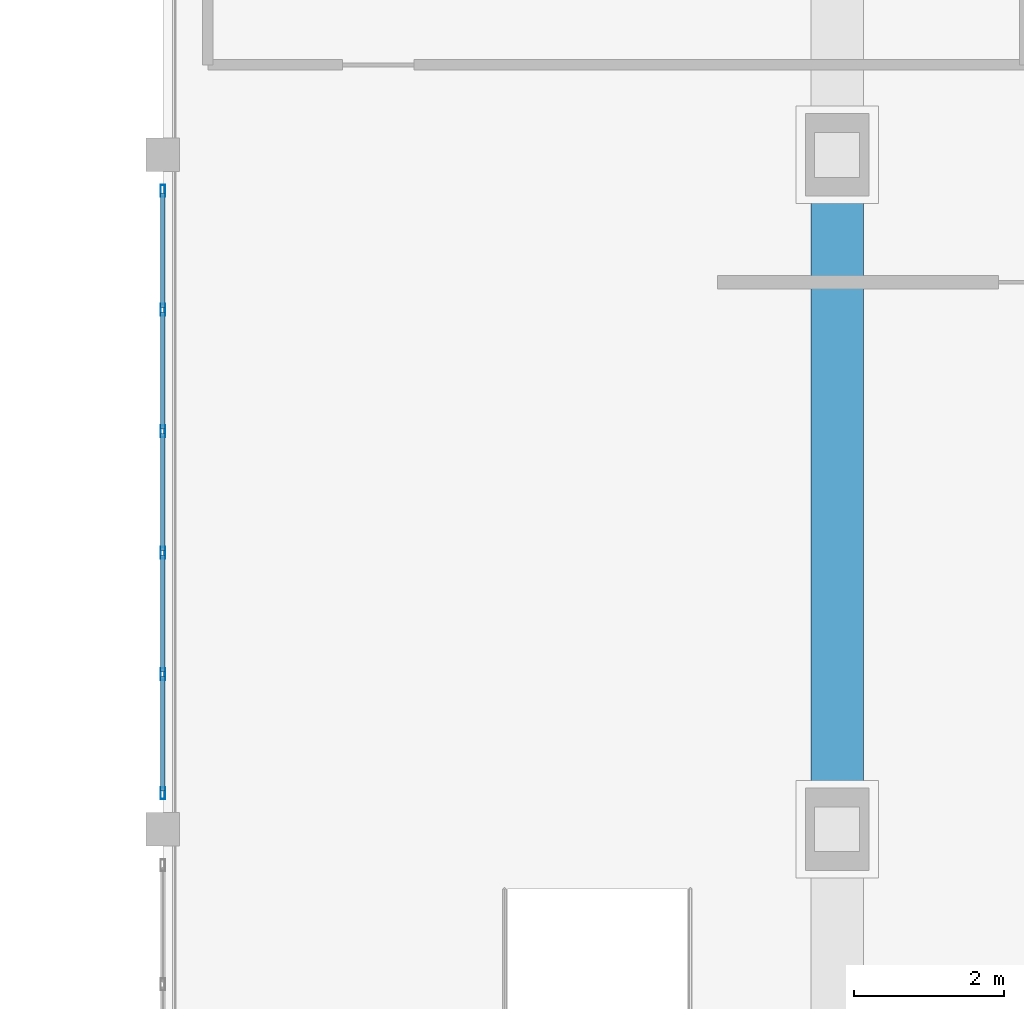
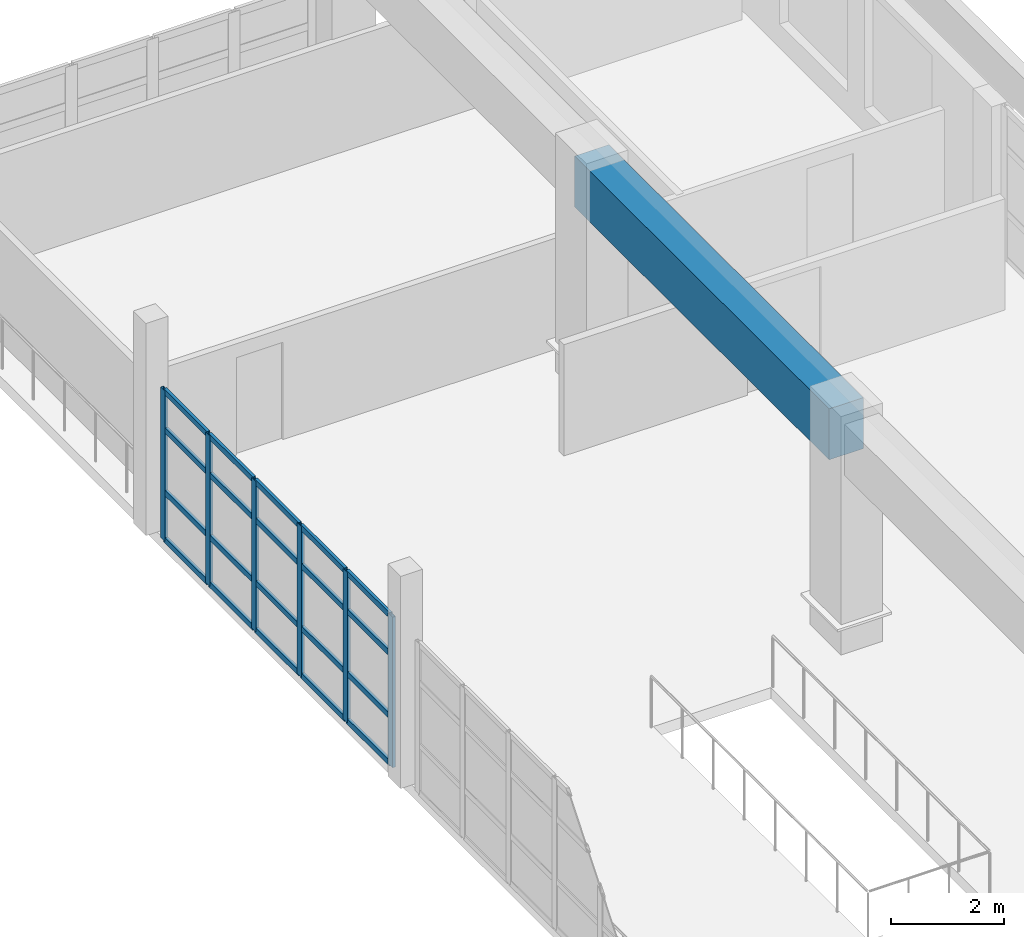
# One storey, part 30 of 80: 26 members, 1 beam, 1 element without a shape of its own.
"""IFC4 building model written with IfcOpenShell, lengths in metres."""

import ifcopenshell
import ifcopenshell.guid

model = None  # the IFC model being written
_history = None  # IfcOwnerHistory: only IFC2X3 demands one
_inside = {}  # id of a spatial element -> (the spatial element, [elements in it])
_under = {}  # id of a project, library or spatial element -> (it, [spatial elements below it])
_declared = {}  # id of a project -> (the project, [libraries it declares])
_typed = {}  # id of a type object -> (the type object, [elements of that type])
_made_of = {}  # id of a material, layer set ... -> (it, [elements and type objects made of it])


def new_model(schema):
    """Start an empty IFC model of exactly this schema.

    Asked for "IFC4X3", IfcOpenShell would pick the latest addendum, in which some entities
    have other attributes; the version numbers below select the first issue.
    IFC2X3 requires an IfcOwnerHistory on every rooted entity: one is made here for all.
    """
    global model, _history
    if schema == "IFC4X3":
        model = ifcopenshell.file(schema_version=(4, 3, 0, 0))
    else:
        model = ifcopenshell.file(schema=schema)
    _inside.clear()
    _under.clear()
    _declared.clear()
    _typed.clear()
    _made_of.clear()
    _history = None
    if model.schema == "IFC2X3":
        org = make("IfcOrganization", Name="unknown")
        user = make(
            "IfcPersonAndOrganization",
            ThePerson=make("IfcPerson", FamilyName="unknown"),
            TheOrganization=org,
        )
        app = make(
            "IfcApplication",
            ApplicationDeveloper=org,
            Version="unknown",
            ApplicationFullName="unknown",
            ApplicationIdentifier="unknown",
        )
        _history = make(
            "IfcOwnerHistory",
            OwningUser=user,
            OwningApplication=app,
            ChangeAction="ADDED",
            CreationDate=0,
        )
    return model


def make(cls, **values):
    """One entity of the class cls with the attributes given. An attribute that is None is left unset."""
    return model.create_entity(
        cls, **{name: value for name, value in values.items() if value is not None}
    )


def rooted(cls, **values):
    """An entity with a GlobalId (a new one), such as an element, a storey or a relation."""
    return make(cls, GlobalId=ifcopenshell.guid.new(), OwnerHistory=_history, **values)


def si_unit(unit_type, name, prefix=None):
    """IfcSIUnit, for example si_unit("LENGTHUNIT", "METRE", prefix="MILLI")."""
    return make("IfcSIUnit", UnitType=unit_type, Prefix=prefix, Name=name)


def assignment(units):
    """IfcUnitAssignment: the units of a project."""
    return None if units is None else make("IfcUnitAssignment", Units=units)


def point(xyz):
    """IfcCartesianPoint."""
    return None if xyz is None else make("IfcCartesianPoint", Coordinates=xyz)


def direction(xyz):
    """IfcDirection."""
    return None if xyz is None else make("IfcDirection", DirectionRatios=xyz)


def frame(location, z_axis=None, x_axis=None):
    """IfcAxis2Placement3D, a coordinate frame: its origin and axes. An axis left out is left unset."""
    return make(
        "IfcAxis2Placement3D",
        Location=point(location),
        Axis=direction(z_axis),
        RefDirection=direction(x_axis),
    )


def frame_2d(location, x_axis=None):
    """IfcAxis2Placement2D, a coordinate frame in the plane: its origin and x axis."""
    return make(
        "IfcAxis2Placement2D", Location=point(location), RefDirection=direction(x_axis)
    )


def origin():
    """The frame at (0, 0, 0) with its axes left unset."""
    return frame((0.0, 0.0, 0.0))


def origin_2d():
    """The frame at (0, 0) in the plane with its x axis left unset."""
    return frame_2d((0.0, 0.0))


def place(relative_to, where):
    """IfcLocalPlacement: puts the frame where relative to a parent placement (None: the world)."""
    return make(
        "IfcLocalPlacement", PlacementRelTo=relative_to, RelativePlacement=where
    )


def context(
    kind, dimensions, precision=None, world=None, true_north=None, identifier=None
):
    """IfcGeometricRepresentationContext, for example the 3D "Model" context."""
    return make(
        "IfcGeometricRepresentationContext",
        ContextIdentifier=identifier,
        ContextType=kind,
        CoordinateSpaceDimension=dimensions,
        Precision=precision,
        WorldCoordinateSystem=world,
        TrueNorth=true_north,
    )


def subcontext(parent, identifier, kind, view, scale=None):
    """IfcGeometricRepresentationSubContext, for example "Body" below "Model"."""
    return make(
        "IfcGeometricRepresentationSubContext",
        ContextIdentifier=identifier,
        ContextType=kind,
        ParentContext=parent,
        TargetScale=scale,
        TargetView=view,
    )


def project(units=None, contexts=None):
    """IfcProject with its units and contexts."""
    return rooted(
        "IfcProject",
        Name="project",
        RepresentationContexts=contexts,
        UnitsInContext=assignment(units),
    )


def spatial(cls, under=None, at=None, **own):
    """A site, building, storey or space (cls), placed at a placement, below another one or the project."""
    s = rooted(cls, ObjectPlacement=at, **own)
    if under is not None:
        _under.setdefault(under.id(), (under, []))[1].append(s)
    return s


def profile(cls, at=None, kind="AREA", **sizes):
    """A parametric profile (cls). Its sizes go by their IFC names, for example OverallWidth=200.0."""
    return make(cls, ProfileType=kind, Position=at, **sizes)


def rectangle(**sizes):
    """IfcRectangleProfileDef."""
    return profile("IfcRectangleProfileDef", **sizes)


def hollow_rectangle(**sizes):
    """IfcRectangleHollowProfileDef."""
    return profile("IfcRectangleHollowProfileDef", **sizes)


def extrude(swept, where, along, depth):
    """IfcExtrudedAreaSolid: the profile swept, set in the frame where, extruded along a direction by depth."""
    return make(
        "IfcExtrudedAreaSolid",
        SweptArea=swept,
        Position=where,
        ExtrudedDirection=direction(along),
        Depth=depth,
    )


def shape(context_of_items, identifier, shape_type, items):
    """IfcShapeRepresentation: the items that make up one representation, for example the "Body"."""
    return make(
        "IfcShapeRepresentation",
        ContextOfItems=context_of_items,
        RepresentationIdentifier=identifier,
        RepresentationType=shape_type,
        Items=items,
    )


def material(Name=None, Category=None):
    """IfcMaterial."""
    return make("IfcMaterial", Name=Name, Category=Category)


def layer(
    of_material, thickness, ventilated=None, Name=None, Category=None, Priority=None
):
    """IfcMaterialLayer: one layer of a wall or slab, of a material (None: an air gap)."""
    return make(
        "IfcMaterialLayer",
        Material=of_material,
        LayerThickness=thickness,
        IsVentilated=ventilated,
        Name=Name,
        Category=Category,
        Priority=Priority,
    )


def layer_set(layers, Name=None):
    """IfcMaterialLayerSet."""
    return make("IfcMaterialLayerSet", MaterialLayers=layers, LayerSetName=Name)


def material_profile(
    of_material, cross_section, Name=None, Category=None, Priority=None
):
    """IfcMaterialProfile: a cross section and its material."""
    return make(
        "IfcMaterialProfile",
        Name=Name,
        Material=of_material,
        Profile=cross_section,
        Priority=Priority,
        Category=Category,
    )


def profile_set(profiles, Name=None, composite=None):
    """IfcMaterialProfileSet."""
    return make(
        "IfcMaterialProfileSet",
        Name=Name,
        MaterialProfiles=profiles,
        CompositeProfile=composite,
    )


def made_of(thing, what):
    """Note that an element or type object is made of a material, layer set ...; save() writes the relation."""
    if what is not None:
        _made_of.setdefault(what.id(), (what, []))[1].append(thing)
    return thing


def type_object(cls, material=None, **own):
    """A type object (cls), such as IfcWallType, which elements share."""
    return made_of(rooted(cls, **own), material)


def element(
    cls,
    number,
    at=None,
    inside=None,
    cuts=None,
    type_object=None,
    material=None,
    context=None,
    identifier="Body",
    shape_type=None,
    held_by="IfcProductDefinitionShape",
    body=None,
    shapes=None,
    **own,
):
    """One element of the class cls, such as IfcWall. Its Tag is "e" and its number.

    at: its placement. inside: the storey or other place that contains it. cuts: it is an
    opening in that element (IfcRelVoidsElement). A single representation is given by context,
    identifier, shape_type and body (its items); several are given by shapes. held_by: the class
    of the entity that holds the representations. save() writes the other relations.
    """
    e = rooted(cls, Tag="e%d" % number, ObjectPlacement=at, **own)
    if body is not None:
        shapes = [shape(context, identifier, shape_type, body)]
    if shapes is not None:
        e.Representation = make(held_by, Representations=shapes)
    if inside is not None:
        _inside.setdefault(inside.id(), (inside, []))[1].append(e)
    if cuts is not None:
        rooted(
            "IfcRelVoidsElement", RelatingBuildingElement=cuts, RelatedOpeningElement=e
        )
    if type_object is not None:
        _typed.setdefault(type_object.id(), (type_object, []))[1].append(e)
    return made_of(e, material)


def aggregate(whole, parts):
    """IfcRelAggregates: a whole, such as a stair, and the parts it consists of."""
    return rooted("IfcRelAggregates", RelatingObject=whole, RelatedObjects=parts)


def save(model, path):
    """Write the relations noted so far, then the file.

    IfcRelAggregates (storeys below a building ...), IfcRelContainedInSpatialStructure (elements
    in a storey), IfcRelDefinesByType, IfcRelAssociatesMaterial and IfcRelDeclares: one each for
    every whole, place, type object, material and project.
    """
    for whole, parts in _under.values():
        aggregate(whole, parts)
    for where, things in _inside.values():
        rooted(
            "IfcRelContainedInSpatialStructure",
            RelatedElements=things,
            RelatingStructure=where,
        )
    for kind, things in _typed.values():
        rooted("IfcRelDefinesByType", RelatedObjects=things, RelatingType=kind)
    for what, things in _made_of.values():
        rooted("IfcRelAssociatesMaterial", RelatedObjects=things, RelatingMaterial=what)
    for by, libraries in _declared.values():
        rooted("IfcRelDeclares", RelatingContext=by, RelatedDefinitions=libraries)
    model.write(path)


model = new_model("IFC4")

# Units and contexts
model_context = context("Model", 3, precision=1e-05, world=origin(), true_north=direction((0.0, 1.0)))
body_context = subcontext(model_context, "Body", "Model", "MODEL_VIEW")
ifc_project = project(units=[si_unit("LENGTHUNIT", "METRE"), si_unit("AREAUNIT", "SQUARE_METRE"), si_unit("VOLUMEUNIT", "CUBIC_METRE"), si_unit("PLANEANGLEUNIT", "RADIAN"), si_unit("MASSUNIT", "GRAM", prefix="KILO")], contexts=[model_context])

# Site, building, storey
site_placement = place(None, origin())
site = spatial("IfcSite", under=ifc_project, at=site_placement, CompositionType="ELEMENT")
building_placement = place(site_placement, origin())
building = spatial("IfcBuilding", under=site, at=building_placement, Name="Ornek Quay Market", CompositionType="ELEMENT")
storey_placement = place(building_placement, frame((0.0, 0.0, 8.39990234375)))
storey = spatial("IfcBuildingStorey", under=building, at=storey_placement, Name="L02", CompositionType="ELEMENT", Elevation=8.39990234375)

# Beam
ifc_material_1 = material(Name="Concrete C45/55", Category="concrete")
ifc_material_profile_1 = material_profile(ifc_material_1, rectangle(XDim=0.699951171875, YDim=1.10009765625, at=origin_2d()), Name="RC 700x1100", Category="concrete")
ifc_profile_set_1 = profile_set([ifc_material_profile_1], Name="Concrete C45/55")
beam_type = type_object("IfcBeamType", Name="BM-ARCH-TIE-700x1100", PredefinedType="BEAM", material=ifc_profile_set_1)
beam_placement = place(storey_placement, frame((117.0, 74.0, 4.400146484375), z_axis=(0.0, 1.0, 0.0), x_axis=(-1.0, 0.0, 0.0)))
element("IfcBeam", 1, at=beam_placement, inside=storey, type_object=beam_type, Name="Arch springing edge tie beam J-E", PredefinedType="BEAM", context=body_context, shape_type="SweptSolid", body=[
    extrude(rectangle(XDim=0.699951171875, YDim=1.10009765625, at=origin_2d()), origin(), (0.0, 0.0, 1.0), 9.0),
])

# Curtain wall, members
ifc_material_2 = material(Name="Anodised bronze aluminium and triple low-e glass", Category="aluminium")
ifc_layer = layer(ifc_material_2, 0.139892578125, Name="Anodised bronze aluminium and triple low-e glass", Category="aluminium")
ifc_layer_set = layer_set([ifc_layer], Name="Anodised bronze aluminium and triple low-e glass")
curtain_wall_type = type_object("IfcCurtainWallType", Name="CW-GALLERY-INT", PredefinedType="USERDEFINED", material=ifc_layer_set)
curtain_wall_placement = place(storey_placement, origin())
curtain_wall = element("IfcCurtainWall", 2, at=curtain_wall_placement, inside=storey, type_object=curtain_wall_type, Name="Curtain wall CW-120", ObjectType="CURTAIN WALL", PredefinedType="USERDEFINED")
ifc_material_3 = material(Name="Anodised aluminium 6063-T6", Category="aluminium")
ifc_material_profile_2 = material_profile(ifc_material_3, hollow_rectangle(XDim=0.06005859375, YDim=0.159912109375, WallThickness=0.00390625, at=origin_2d()), Name="CW-MUL-60x160", Category="aluminium")
ifc_profile_set_2 = profile_set([ifc_material_profile_2], Name="Anodised aluminium 6063-T6")
member_type_1 = type_object("IfcMemberType", Name="CW-MUL-60x160", PredefinedType="MULLION", material=ifc_profile_set_2)
member_1_placement = place(storey_placement, frame((108.0, 74.47998046875, 0.0), z_axis=(0.0, 0.0, 1.0), x_axis=(-1.0, 0.0, 0.0)))
member_1 = element("IfcMember", 3, at=member_1_placement, type_object=member_type_1, Name="CW-120 mullion 1", PredefinedType="MULLION", context=body_context, shape_type="SweptSolid", body=[
    extrude(hollow_rectangle(XDim=0.06005859375, YDim=0.159912109375, WallThickness=0.00390625, at=origin_2d()), origin(), (0.0, 0.0, 1.0), 3.25),
])
member_2_placement = place(storey_placement, frame((108.0, 76.070068359375, 0.0), z_axis=(0.0, 0.0, 1.0), x_axis=(-1.0, 0.0, 0.0)))
member_2 = element("IfcMember", 4, at=member_2_placement, type_object=member_type_1, Name="CW-120 mullion 2", PredefinedType="MULLION", context=body_context, shape_type="SweptSolid", body=[
    extrude(hollow_rectangle(XDim=0.06005859375, YDim=0.159912109375, WallThickness=0.00390625, at=origin_2d()), origin(), (0.0, 0.0, 1.0), 3.25),
])
member_3_placement = place(storey_placement, frame((108.0, 77.68994140625, 0.0), z_axis=(0.0, 0.0, 1.0), x_axis=(-1.0, 0.0, 0.0)))
member_3 = element("IfcMember", 5, at=member_3_placement, type_object=member_type_1, Name="CW-120 mullion 3", PredefinedType="MULLION", context=body_context, shape_type="SweptSolid", body=[
    extrude(hollow_rectangle(XDim=0.06005859375, YDim=0.159912109375, WallThickness=0.00390625, at=origin_2d()), origin(), (0.0, 0.0, 1.0), 3.25),
])
member_4_placement = place(storey_placement, frame((108.0, 79.31005859375, 0.0), z_axis=(0.0, 0.0, 1.0), x_axis=(-1.0, 0.0, 0.0)))
member_4 = element("IfcMember", 6, at=member_4_placement, type_object=member_type_1, Name="CW-120 mullion 4", PredefinedType="MULLION", context=body_context, shape_type="SweptSolid", body=[
    extrude(hollow_rectangle(XDim=0.06005859375, YDim=0.159912109375, WallThickness=0.00390625, at=origin_2d()), origin(), (0.0, 0.0, 1.0), 3.25),
])
member_5_placement = place(storey_placement, frame((108.0, 80.929931640625, 0.0), z_axis=(0.0, 0.0, 1.0), x_axis=(-1.0, 0.0, 0.0)))
member_5 = element("IfcMember", 7, at=member_5_placement, type_object=member_type_1, Name="CW-120 mullion 5", PredefinedType="MULLION", context=body_context, shape_type="SweptSolid", body=[
    extrude(hollow_rectangle(XDim=0.06005859375, YDim=0.159912109375, WallThickness=0.00390625, at=origin_2d()), origin(), (0.0, 0.0, 1.0), 3.25),
])
member_6_placement = place(storey_placement, frame((108.0, 82.52001953125, 0.0), z_axis=(0.0, 0.0, 1.0), x_axis=(-1.0, 0.0, 0.0)))
member_6 = element("IfcMember", 8, at=member_6_placement, type_object=member_type_1, Name="CW-120 mullion 6", PredefinedType="MULLION", context=body_context, shape_type="SweptSolid", body=[
    extrude(hollow_rectangle(XDim=0.06005859375, YDim=0.159912109375, WallThickness=0.00390625, at=origin_2d()), origin(), (0.0, 0.0, 1.0), 3.25),
])
ifc_material_profile_3 = material_profile(ifc_material_3, hollow_rectangle(XDim=0.06005859375, YDim=0.1201171875, WallThickness=0.00390625, at=origin_2d()), Name="CW-TRN-60x120", Category="aluminium")
ifc_profile_set_3 = profile_set([ifc_material_profile_3], Name="Anodised aluminium 6063-T6")
member_type_2 = type_object("IfcMemberType", Name="CW-TRN-60x120", PredefinedType="USERDEFINED", material=ifc_profile_set_3)
member_7_placement = place(storey_placement, frame((108.0, 74.510009765625, 0.030029296875), z_axis=(0.0, 1.0, 0.0), x_axis=(-1.0, 0.0, 0.0)))
member_7 = element("IfcMember", 9, at=member_7_placement, type_object=member_type_2, Name="CW-120 transom 1.1", ObjectType="TRANSOM", PredefinedType="USERDEFINED", context=body_context, shape_type="SweptSolid", body=[
    extrude(hollow_rectangle(XDim=0.06005859375, YDim=0.1201171875, WallThickness=0.00390625, at=origin_2d()), origin(), (0.0, 0.0, 1.0), 1.530029296875),
])
member_8_placement = place(storey_placement, frame((108.0, 74.510009765625, 1.050048828125), z_axis=(0.0, 1.0, 0.0), x_axis=(-1.0, 0.0, 0.0)))
member_8 = element("IfcMember", 10, at=member_8_placement, type_object=member_type_2, Name="CW-120 transom 1.2", ObjectType="TRANSOM", PredefinedType="USERDEFINED", context=body_context, shape_type="SweptSolid", body=[
    extrude(hollow_rectangle(XDim=0.06005859375, YDim=0.1201171875, WallThickness=0.00390625, at=origin_2d()), origin(), (0.0, 0.0, 1.0), 1.530029296875),
])
member_9_placement = place(storey_placement, frame((108.0, 74.510009765625, 2.400146484375), z_axis=(0.0, 1.0, 0.0), x_axis=(-1.0, 0.0, 0.0)))
member_9 = element("IfcMember", 11, at=member_9_placement, type_object=member_type_2, Name="CW-120 transom 1.3", ObjectType="TRANSOM", PredefinedType="USERDEFINED", context=body_context, shape_type="SweptSolid", body=[
    extrude(hollow_rectangle(XDim=0.06005859375, YDim=0.1201171875, WallThickness=0.00390625, at=origin_2d()), origin(), (0.0, 0.0, 1.0), 1.530029296875),
])
member_10_placement = place(storey_placement, frame((108.0, 74.510009765625, 3.22021484375), z_axis=(0.0, 1.0, 0.0), x_axis=(-1.0, 0.0, 0.0)))
member_10 = element("IfcMember", 12, at=member_10_placement, type_object=member_type_2, Name="CW-120 transom 1.4", ObjectType="TRANSOM", PredefinedType="USERDEFINED", context=body_context, shape_type="SweptSolid", body=[
    extrude(hollow_rectangle(XDim=0.06005859375, YDim=0.1201171875, WallThickness=0.00390625, at=origin_2d()), origin(), (0.0, 0.0, 1.0), 1.530029296875),
])
member_11_placement = place(storey_placement, frame((108.0, 76.10009765625, 0.030029296875), z_axis=(0.0, 1.0, 0.0), x_axis=(-1.0, 0.0, 0.0)))
member_11 = element("IfcMember", 13, at=member_11_placement, type_object=member_type_2, Name="CW-120 transom 2.1", ObjectType="TRANSOM", PredefinedType="USERDEFINED", context=body_context, shape_type="SweptSolid", body=[
    extrude(hollow_rectangle(XDim=0.06005859375, YDim=0.1201171875, WallThickness=0.00390625, at=origin_2d()), origin(), (0.0, 0.0, 1.0), 1.559814453125),
])
member_12_placement = place(storey_placement, frame((108.0, 76.10009765625, 1.050048828125), z_axis=(0.0, 1.0, 0.0), x_axis=(-1.0, 0.0, 0.0)))
member_12 = element("IfcMember", 14, at=member_12_placement, type_object=member_type_2, Name="CW-120 transom 2.2", ObjectType="TRANSOM", PredefinedType="USERDEFINED", context=body_context, shape_type="SweptSolid", body=[
    extrude(hollow_rectangle(XDim=0.06005859375, YDim=0.1201171875, WallThickness=0.00390625, at=origin_2d()), origin(), (0.0, 0.0, 1.0), 1.559814453125),
])
member_13_placement = place(storey_placement, frame((108.0, 76.10009765625, 2.400146484375), z_axis=(0.0, 1.0, 0.0), x_axis=(-1.0, 0.0, 0.0)))
member_13 = element("IfcMember", 15, at=member_13_placement, type_object=member_type_2, Name="CW-120 transom 2.3", ObjectType="TRANSOM", PredefinedType="USERDEFINED", context=body_context, shape_type="SweptSolid", body=[
    extrude(hollow_rectangle(XDim=0.06005859375, YDim=0.1201171875, WallThickness=0.00390625, at=origin_2d()), origin(), (0.0, 0.0, 1.0), 1.559814453125),
])
member_14_placement = place(storey_placement, frame((108.0, 76.10009765625, 3.22021484375), z_axis=(0.0, 1.0, 0.0), x_axis=(-1.0, 0.0, 0.0)))
member_14 = element("IfcMember", 16, at=member_14_placement, type_object=member_type_2, Name="CW-120 transom 2.4", ObjectType="TRANSOM", PredefinedType="USERDEFINED", context=body_context, shape_type="SweptSolid", body=[
    extrude(hollow_rectangle(XDim=0.06005859375, YDim=0.1201171875, WallThickness=0.00390625, at=origin_2d()), origin(), (0.0, 0.0, 1.0), 1.559814453125),
])
member_15_placement = place(storey_placement, frame((108.0, 77.719970703125, 0.030029296875), z_axis=(0.0, 1.0, 0.0), x_axis=(-1.0, 0.0, 0.0)))
member_15 = element("IfcMember", 17, at=member_15_placement, type_object=member_type_2, Name="CW-120 transom 3.1", ObjectType="TRANSOM", PredefinedType="USERDEFINED", context=body_context, shape_type="SweptSolid", body=[
    extrude(hollow_rectangle(XDim=0.06005859375, YDim=0.1201171875, WallThickness=0.00390625, at=origin_2d()), origin(), (0.0, 0.0, 1.0), 1.56005859375),
])
member_16_placement = place(storey_placement, frame((108.0, 77.719970703125, 1.050048828125), z_axis=(0.0, 1.0, 0.0), x_axis=(-1.0, 0.0, 0.0)))
member_16 = element("IfcMember", 18, at=member_16_placement, type_object=member_type_2, Name="CW-120 transom 3.2", ObjectType="TRANSOM", PredefinedType="USERDEFINED", context=body_context, shape_type="SweptSolid", body=[
    extrude(hollow_rectangle(XDim=0.06005859375, YDim=0.1201171875, WallThickness=0.00390625, at=origin_2d()), origin(), (0.0, 0.0, 1.0), 1.56005859375),
])
member_17_placement = place(storey_placement, frame((108.0, 77.719970703125, 2.400146484375), z_axis=(0.0, 1.0, 0.0), x_axis=(-1.0, 0.0, 0.0)))
member_17 = element("IfcMember", 19, at=member_17_placement, type_object=member_type_2, Name="CW-120 transom 3.3", ObjectType="TRANSOM", PredefinedType="USERDEFINED", context=body_context, shape_type="SweptSolid", body=[
    extrude(hollow_rectangle(XDim=0.06005859375, YDim=0.1201171875, WallThickness=0.00390625, at=origin_2d()), origin(), (0.0, 0.0, 1.0), 1.56005859375),
])
member_18_placement = place(storey_placement, frame((108.0, 77.719970703125, 3.22021484375), z_axis=(0.0, 1.0, 0.0), x_axis=(-1.0, 0.0, 0.0)))
member_18 = element("IfcMember", 20, at=member_18_placement, type_object=member_type_2, Name="CW-120 transom 3.4", ObjectType="TRANSOM", PredefinedType="USERDEFINED", context=body_context, shape_type="SweptSolid", body=[
    extrude(hollow_rectangle(XDim=0.06005859375, YDim=0.1201171875, WallThickness=0.00390625, at=origin_2d()), origin(), (0.0, 0.0, 1.0), 1.56005859375),
])
member_19_placement = place(storey_placement, frame((108.0, 79.340087890625, 0.030029296875), z_axis=(0.0, 1.0, 0.0), x_axis=(-1.0, 0.0, 0.0)))
member_19 = element("IfcMember", 21, at=member_19_placement, type_object=member_type_2, Name="CW-120 transom 4.1", ObjectType="TRANSOM", PredefinedType="USERDEFINED", context=body_context, shape_type="SweptSolid", body=[
    extrude(hollow_rectangle(XDim=0.06005859375, YDim=0.1201171875, WallThickness=0.00390625, at=origin_2d()), origin(), (0.0, 0.0, 1.0), 1.559814453125),
])
member_20_placement = place(storey_placement, frame((108.0, 79.340087890625, 1.050048828125), z_axis=(0.0, 1.0, 0.0), x_axis=(-1.0, 0.0, 0.0)))
member_20 = element("IfcMember", 22, at=member_20_placement, type_object=member_type_2, Name="CW-120 transom 4.2", ObjectType="TRANSOM", PredefinedType="USERDEFINED", context=body_context, shape_type="SweptSolid", body=[
    extrude(hollow_rectangle(XDim=0.06005859375, YDim=0.1201171875, WallThickness=0.00390625, at=origin_2d()), origin(), (0.0, 0.0, 1.0), 1.559814453125),
])
member_21_placement = place(storey_placement, frame((108.0, 79.340087890625, 2.400146484375), z_axis=(0.0, 1.0, 0.0), x_axis=(-1.0, 0.0, 0.0)))
member_21 = element("IfcMember", 23, at=member_21_placement, type_object=member_type_2, Name="CW-120 transom 4.3", ObjectType="TRANSOM", PredefinedType="USERDEFINED", context=body_context, shape_type="SweptSolid", body=[
    extrude(hollow_rectangle(XDim=0.06005859375, YDim=0.1201171875, WallThickness=0.00390625, at=origin_2d()), origin(), (0.0, 0.0, 1.0), 1.559814453125),
])
member_22_placement = place(storey_placement, frame((108.0, 79.340087890625, 3.22021484375), z_axis=(0.0, 1.0, 0.0), x_axis=(-1.0, 0.0, 0.0)))
member_22 = element("IfcMember", 24, at=member_22_placement, type_object=member_type_2, Name="CW-120 transom 4.4", ObjectType="TRANSOM", PredefinedType="USERDEFINED", context=body_context, shape_type="SweptSolid", body=[
    extrude(hollow_rectangle(XDim=0.06005859375, YDim=0.1201171875, WallThickness=0.00390625, at=origin_2d()), origin(), (0.0, 0.0, 1.0), 1.559814453125),
])
member_23_placement = place(storey_placement, frame((108.0, 80.9599609375, 0.030029296875), z_axis=(0.0, 1.0, 0.0), x_axis=(-1.0, 0.0, 0.0)))
member_23 = element("IfcMember", 25, at=member_23_placement, type_object=member_type_2, Name="CW-120 transom 5.1", ObjectType="TRANSOM", PredefinedType="USERDEFINED", context=body_context, shape_type="SweptSolid", body=[
    extrude(hollow_rectangle(XDim=0.06005859375, YDim=0.1201171875, WallThickness=0.00390625, at=origin_2d()), origin(), (0.0, 0.0, 1.0), 1.530029296875),
])
member_24_placement = place(storey_placement, frame((108.0, 80.9599609375, 1.050048828125), z_axis=(0.0, 1.0, 0.0), x_axis=(-1.0, 0.0, 0.0)))
member_24 = element("IfcMember", 26, at=member_24_placement, type_object=member_type_2, Name="CW-120 transom 5.2", ObjectType="TRANSOM", PredefinedType="USERDEFINED", context=body_context, shape_type="SweptSolid", body=[
    extrude(hollow_rectangle(XDim=0.06005859375, YDim=0.1201171875, WallThickness=0.00390625, at=origin_2d()), origin(), (0.0, 0.0, 1.0), 1.530029296875),
])
member_25_placement = place(storey_placement, frame((108.0, 80.9599609375, 2.400146484375), z_axis=(0.0, 1.0, 0.0), x_axis=(-1.0, 0.0, 0.0)))
member_25 = element("IfcMember", 27, at=member_25_placement, type_object=member_type_2, Name="CW-120 transom 5.3", ObjectType="TRANSOM", PredefinedType="USERDEFINED", context=body_context, shape_type="SweptSolid", body=[
    extrude(hollow_rectangle(XDim=0.06005859375, YDim=0.1201171875, WallThickness=0.00390625, at=origin_2d()), origin(), (0.0, 0.0, 1.0), 1.530029296875),
])
member_26_placement = place(storey_placement, frame((108.0, 80.9599609375, 3.22021484375), z_axis=(0.0, 1.0, 0.0), x_axis=(-1.0, 0.0, 0.0)))
member_26 = element("IfcMember", 28, at=member_26_placement, type_object=member_type_2, Name="CW-120 transom 5.4", ObjectType="TRANSOM", PredefinedType="USERDEFINED", context=body_context, shape_type="SweptSolid", body=[
    extrude(hollow_rectangle(XDim=0.06005859375, YDim=0.1201171875, WallThickness=0.00390625, at=origin_2d()), origin(), (0.0, 0.0, 1.0), 1.530029296875),
])
aggregate(curtain_wall, [member_1, member_2, member_3, member_4, member_5, member_6, member_7, member_8, member_9, member_10, member_11, member_12, member_13, member_14, member_15, member_16, member_17, member_18, member_19, member_20, member_21, member_22, member_23, member_24, member_25, member_26])

save(model, "model.ifc")
